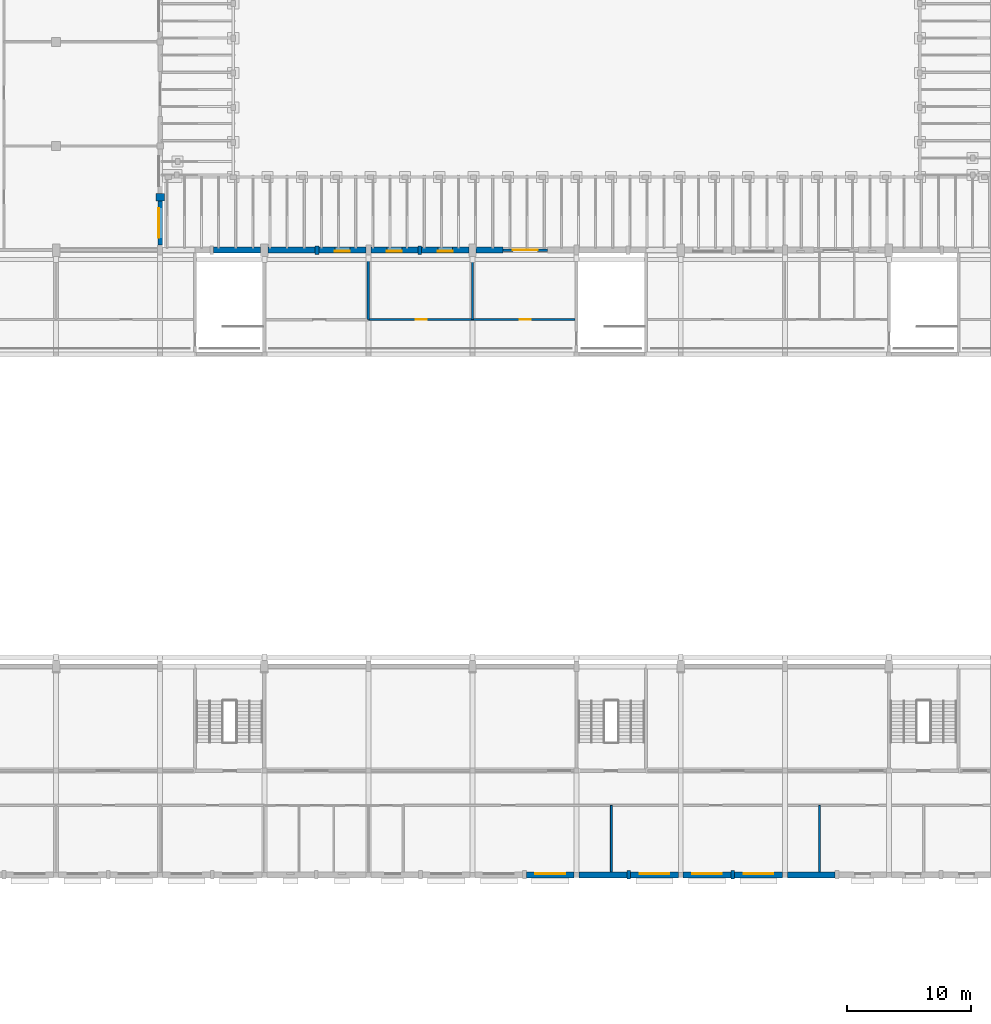
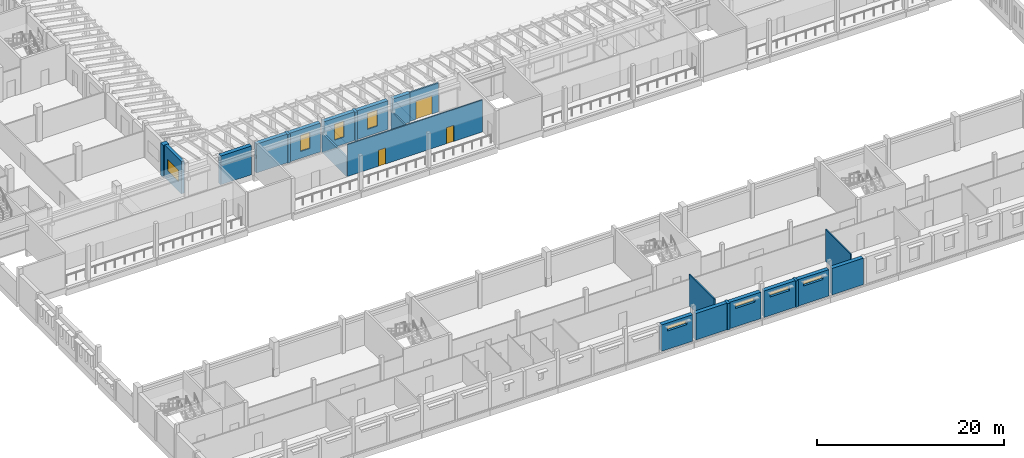
# One storey, part 35 of 60: 24 walls, 8 windows, 3 doors, 11 openings.
"""IFC4 building model written with IfcOpenShell, lengths in metres."""

from ifc_helpers import new_model, si_unit, direction, frame, frame_2d, origin, place, context, subcontext, project, spatial, rectangle, extrude, material, layer, layer_set, type_object, element, fill, save


model = new_model("IFC4")

# Units and contexts
model_context = context("Model", 3, precision=1e-05, world=origin(), true_north=direction((0.0, 1.0)))
body_context = subcontext(model_context, "Body", "Model", "MODEL_VIEW")
ifc_project = project(units=[si_unit("LENGTHUNIT", "METRE"), si_unit("AREAUNIT", "SQUARE_METRE"), si_unit("VOLUMEUNIT", "CUBIC_METRE"), si_unit("PLANEANGLEUNIT", "RADIAN"), si_unit("MASSUNIT", "GRAM", prefix="KILO")], contexts=[model_context])

# Site, building, storey
site_placement = place(None, origin())
site = spatial("IfcSite", under=ifc_project, at=site_placement, CompositionType="ELEMENT")
building_placement = place(site_placement, origin())
building = spatial("IfcBuilding", under=site, at=building_placement, Name="Fescue Hill Polytechnic", CompositionType="ELEMENT")
storey_placement = place(building_placement, frame((0.0, 0.0, 4.5)))
storey = spatial("IfcBuildingStorey", under=building, at=storey_placement, Name="L01", CompositionType="ELEMENT", Elevation=4.5)

# Wall, openings, doors
ifc_material_1 = material(Name="Gypsum board partition")
ifc_layer_1 = layer(ifc_material_1, 0.14990234375)
ifc_layer_set_1 = layer_set([ifc_layer_1], Name="Gypsum board partition")
wall_type_1 = type_object("IfcWallType", Name="Corridor wall 150 EI 45", PredefinedType="PARTITIONING", material=ifc_layer_set_1)
wall_1_placement = place(storey_placement, frame((42.0, 44.800048828125, 0.0), z_axis=(0.0, 0.0, 1.0), x_axis=(1.0, 0.0, 0.0)))
wall_1 = element("IfcWall", 1, at=wall_1_placement, inside=storey, type_object=wall_type_1, Name="IW-L01-029", PredefinedType="PARTITIONING", context=body_context, shape_type="SweptSolid", body=[
    extrude(rectangle(XDim=16.64990234375, YDim=0.14990234375, at=frame_2d((8.324951171875, 0.0))), origin(), (0.0, 0.0, 1.0), 4.14990234375),
])
opening_1_placement = place(wall_1_placement, frame((3.800048828125, 0.0, 0.0)))
opening_1 = element("IfcOpeningElement", 2, at=opening_1_placement, cuts=wall_1, Name="Opening D1037", PredefinedType="OPENING", context=body_context, shape_type="SweptSolid", body=[
    extrude(rectangle(XDim=0.89990234375, YDim=2.10009765625, at=frame_2d((0.449951171875, 1.050048828125))), frame((0.0, 0.0849609375, 0.0), z_axis=(0.0, -1.0, 0.0), x_axis=(1.0, 0.0, 0.0)), (0.0, 0.0, 1.0), 0.169921875),
])
opening_2_placement = place(wall_1_placement, frame((12.199951171875, 0.0, 0.0)))
opening_2 = element("IfcOpeningElement", 3, at=opening_2_placement, cuts=wall_1, Name="Opening D1038", PredefinedType="OPENING", context=body_context, shape_type="SweptSolid", body=[
    extrude(rectangle(XDim=0.89990234375, YDim=2.10009765625, at=frame_2d((0.449951171875, 1.050048828125))), frame((0.0, 0.0849609375, 0.0), z_axis=(0.0, -1.0, 0.0), x_axis=(1.0, 0.0, 0.0)), (0.0, 0.0, 1.0), 0.169921875),
])
ifc_material_2 = material(Name="Timber", Category="wood")
door_type_1 = type_object("IfcDoorType", Name="Door single swing 900x2100 FD30S", OperationType="SINGLE_SWING_LEFT", PredefinedType="DOOR", material=ifc_material_2)
door_1_placement = place(opening_1_placement, origin())
door_1 = element("IfcDoor", 4, at=door_1_placement, inside=storey, type_object=door_type_1, Name="Door D1037", OperationType="SINGLE_SWING_LEFT", OverallHeight=2.10009765625, OverallWidth=0.89990234375, PredefinedType="DOOR", context=body_context, shape_type="SweptSolid", body=[
    extrude(rectangle(XDim=0.89990234375, YDim=2.10009765625, at=frame_2d((0.449951171875, 1.050048828125))), frame((0.0, 0.02490234375, 0.0), z_axis=(0.0, -1.0, 0.0), x_axis=(1.0, 0.0, 0.0)), (0.0, 0.0, 1.0), 0.050048828125),
])
fill(opening_1, door_1)
door_2_placement = place(opening_2_placement, origin())
door_2 = element("IfcDoor", 5, at=door_2_placement, inside=storey, type_object=door_type_1, Name="Door D1038", OperationType="SINGLE_SWING_RIGHT", OverallHeight=2.10009765625, OverallWidth=0.89990234375, PredefinedType="DOOR", context=body_context, shape_type="SweptSolid", body=[
    extrude(rectangle(XDim=0.89990234375, YDim=2.10009765625, at=frame_2d((0.449951171875, 1.050048828125))), frame((0.0, 0.02490234375, 0.0), z_axis=(0.0, -1.0, 0.0), x_axis=(1.0, 0.0, 0.0)), (0.0, 0.0, 1.0), 0.050048828125),
])
fill(opening_2, door_2)

# Wall, opening, door
ifc_material_3 = material(Name="Glass", Category="glass")
ifc_layer_2 = layer(ifc_material_3, 0.199951171875)
ifc_layer_set_2 = layer_set([ifc_layer_2], Name="Glass")
wall_type_2 = type_object("IfcWallType", Name="Entrance frame wall metal and glass 200", PredefinedType="SOLIDWALL", material=ifc_layer_set_2)
wall_2_placement = place(storey_placement, frame((56.449951171875, 50.39990234375, 0.0), z_axis=(0.0, 0.0, 1.0), x_axis=(-1.0, 0.0, 0.0)))
wall_2 = element("IfcWall", 6, at=wall_2_placement, inside=storey, type_object=wall_type_2, Name="EW-L01-V1-65", PredefinedType="SOLIDWALL", context=body_context, shape_type="SweptSolid", body=[
    extrude(rectangle(XDim=3.599853515625, YDim=0.199951171875, at=frame_2d((1.7998046875, 0.0))), origin(), (0.0, 0.0, 1.0), 3.75),
])
opening_3_placement = place(wall_2_placement, frame((0.800048828125, 0.0, 0.0)))
opening_3 = element("IfcOpeningElement", 7, at=opening_3_placement, cuts=wall_2, Name="Opening D1002", PredefinedType="OPENING", context=body_context, shape_type="SweptSolid", body=[
    extrude(rectangle(XDim=2.0, YDim=2.39990234375, at=frame_2d((1.0, 1.199951171875))), frame((0.0, 0.10986328125, 0.0), z_axis=(0.0, -1.0, 0.0), x_axis=(1.0, 0.0, 0.0)), (0.0, 0.0, 1.0), 0.219970703125),
])
ifc_material_4 = material(Name="Aluminium and glass", Category="aluminium")
door_type_2 = type_object("IfcDoorType", Name="Door entrance glazed double 2000x2400", OperationType="DOUBLE_DOOR_SINGLE_SWING", PredefinedType="DOOR", material=ifc_material_4)
door_3_placement = place(opening_3_placement, origin())
door_3 = element("IfcDoor", 8, at=door_3_placement, inside=storey, type_object=door_type_2, Name="Door D1002", OperationType="SINGLE_SWING_LEFT", OverallHeight=2.39990234375, OverallWidth=2.0, PredefinedType="DOOR", context=body_context, shape_type="SweptSolid", body=[
    extrude(rectangle(XDim=2.0, YDim=2.39990234375, at=frame_2d((1.0, 1.199951171875))), frame((0.0, 0.02490234375, 0.0), z_axis=(0.0, -1.0, 0.0), x_axis=(1.0, 0.0, 0.0)), (0.0, 0.0, 1.0), 0.050048828125),
])
fill(opening_3, door_3)

# Wall, opening, window
ifc_material_5 = material(Name="Clay brick masonry", Category="masonry")
ifc_layer_3 = layer(ifc_material_5, 0.47998046875)
ifc_layer_set_3 = layer_set([ifc_layer_3], Name="Clay brick masonry")
wall_type_3 = type_object("IfcWallType", Name="Exterior wall engineering brick cavity 480", PredefinedType="SOLIDWALL", material=ifc_layer_set_3)
wall_3_placement = place(storey_placement, frame((54.75, 0.0, 0.0), z_axis=(0.0, 0.0, 1.0), x_axis=(1.0, 0.0, 0.0)))
wall_3 = element("IfcWall", 9, at=wall_3_placement, inside=storey, type_object=wall_type_3, Name="EW-L01-V1-18", PredefinedType="SOLIDWALL", context=body_context, shape_type="SweptSolid", body=[
    extrude(rectangle(XDim=3.85009765625, YDim=0.47998046875, at=frame_2d((1.925048828125, 0.0))), origin(), (0.0, 0.0, 1.0), 3.449951171875),
])
opening_4_placement = place(wall_3_placement, frame((0.72509765625, 0.0, 2.39990234375)))
opening_4 = element("IfcOpeningElement", 10, at=opening_4_placement, cuts=wall_3, Name="Opening W2R", PredefinedType="OPENING", context=body_context, shape_type="SweptSolid", body=[
    extrude(rectangle(XDim=2.39990234375, YDim=0.60009765625, at=frame_2d((1.199951171875, 0.300048828125))), frame((0.0, 0.25, 0.0), z_axis=(0.0, -1.0, 0.0), x_axis=(1.0, 0.0, 0.0)), (0.0, 0.0, 1.0), 0.5),
])
ifc_material_6 = material(Name="Powder-coated aluminium and glass", Category="aluminium")
window_type_1 = type_object("IfcWindowType", Name="Window workshop high 2400x600", PartitioningType="TRIPLE_PANEL_VERTICAL", PredefinedType="WINDOW", material=ifc_material_6)
window_1_placement = place(opening_4_placement, origin())
window_1 = element("IfcWindow", 11, at=window_1_placement, inside=storey, type_object=window_type_1, Name="WN-L01-V1-15", OverallHeight=0.60009765625, OverallWidth=2.39990234375, PartitioningType="SINGLE_PANEL", PredefinedType="WINDOW", context=body_context, shape_type="SweptSolid", body=[
    extrude(rectangle(XDim=2.39990234375, YDim=0.60009765625, at=frame_2d((1.199951171875, 0.300048828125))), frame((0.0, 0.1201171875, 0.0), z_axis=(0.0, -1.0, 0.0), x_axis=(1.0, 0.0, 0.0)), (0.0, 0.0, 1.0), 0.06005859375),
])
fill(opening_4, window_1)

# Wall
wall_4_placement = place(storey_placement, frame((59.0, 0.0, 0.0), z_axis=(0.0, 0.0, 1.0), x_axis=(1.0, 0.0, 0.0)))
element("IfcWall", 12, at=wall_4_placement, inside=storey, type_object=wall_type_3, Name="EW-L01-V1-19", PredefinedType="SOLIDWALL", context=body_context, shape_type="SweptSolid", body=[
    extrude(rectangle(XDim=3.85009765625, YDim=0.47998046875, at=frame_2d((1.925048828125, 0.0))), origin(), (0.0, 0.0, 1.0), 3.449951171875),
])

# Wall, opening, window
wall_5_placement = place(storey_placement, frame((63.14990234375, 0.0, 0.0), z_axis=(0.0, 0.0, 1.0), x_axis=(1.0, 0.0, 0.0)))
wall_5 = element("IfcWall", 13, at=wall_5_placement, inside=storey, type_object=wall_type_3, Name="EW-L01-V1-20", PredefinedType="SOLIDWALL", context=body_context, shape_type="SweptSolid", body=[
    extrude(rectangle(XDim=3.85009765625, YDim=0.47998046875, at=frame_2d((1.925048828125, 0.0))), origin(), (0.0, 0.0, 1.0), 3.449951171875),
])
opening_5_placement = place(wall_5_placement, frame((0.72509765625, 0.0, 2.39990234375)))
opening_5 = element("IfcOpeningElement", 14, at=opening_5_placement, cuts=wall_5, Name="Opening W2R", PredefinedType="OPENING", context=body_context, shape_type="SweptSolid", body=[
    extrude(rectangle(XDim=2.39990234375, YDim=0.60009765625, at=frame_2d((1.199951171875, 0.300048828125))), frame((0.0, 0.25, 0.0), z_axis=(0.0, -1.0, 0.0), x_axis=(1.0, 0.0, 0.0)), (0.0, 0.0, 1.0), 0.5),
])
window_2_placement = place(opening_5_placement, origin())
window_2 = element("IfcWindow", 15, at=window_2_placement, inside=storey, type_object=window_type_1, Name="WN-L01-V1-16", OverallHeight=0.60009765625, OverallWidth=2.39990234375, PartitioningType="SINGLE_PANEL", PredefinedType="WINDOW", context=body_context, shape_type="SweptSolid", body=[
    extrude(rectangle(XDim=2.39990234375, YDim=0.60009765625, at=frame_2d((1.199951171875, 0.300048828125))), frame((0.0, 0.1201171875, 0.0), z_axis=(0.0, -1.0, 0.0), x_axis=(1.0, 0.0, 0.0)), (0.0, 0.0, 1.0), 0.06005859375),
])
fill(opening_5, window_2)

wall_6_placement = place(storey_placement, frame((67.39990234375, 0.0, 0.0), z_axis=(0.0, 0.0, 1.0), x_axis=(1.0, 0.0, 0.0)))
wall_6 = element("IfcWall", 16, at=wall_6_placement, inside=storey, type_object=wall_type_3, Name="EW-L01-V1-21", PredefinedType="SOLIDWALL", context=body_context, shape_type="SweptSolid", body=[
    extrude(rectangle(XDim=3.85009765625, YDim=0.47998046875, at=frame_2d((1.925048828125, 0.0))), origin(), (0.0, 0.0, 1.0), 3.449951171875),
])
opening_6_placement = place(wall_6_placement, frame((0.72509765625, 0.0, 2.39990234375)))
opening_6 = element("IfcOpeningElement", 17, at=opening_6_placement, cuts=wall_6, Name="Opening W2R", PredefinedType="OPENING", context=body_context, shape_type="SweptSolid", body=[
    extrude(rectangle(XDim=2.39990234375, YDim=0.60009765625, at=frame_2d((1.199951171875, 0.300048828125))), frame((0.0, 0.25, 0.0), z_axis=(0.0, -1.0, 0.0), x_axis=(1.0, 0.0, 0.0)), (0.0, 0.0, 1.0), 0.5),
])
window_3_placement = place(opening_6_placement, origin())
window_3 = element("IfcWindow", 18, at=window_3_placement, inside=storey, type_object=window_type_1, Name="WN-L01-V1-17", OverallHeight=0.60009765625, OverallWidth=2.39990234375, PartitioningType="SINGLE_PANEL", PredefinedType="WINDOW", context=body_context, shape_type="SweptSolid", body=[
    extrude(rectangle(XDim=2.39990234375, YDim=0.60009765625, at=frame_2d((1.199951171875, 0.300048828125))), frame((0.0, 0.1201171875, 0.0), z_axis=(0.0, -1.0, 0.0), x_axis=(1.0, 0.0, 0.0)), (0.0, 0.0, 1.0), 0.06005859375),
])
fill(opening_6, window_3)

wall_7_placement = place(storey_placement, frame((71.550048828125, 0.0, 0.0), z_axis=(0.0, 0.0, 1.0), x_axis=(1.0, 0.0, 0.0)))
wall_7 = element("IfcWall", 19, at=wall_7_placement, inside=storey, type_object=wall_type_3, Name="EW-L01-V1-22", PredefinedType="SOLIDWALL", context=body_context, shape_type="SweptSolid", body=[
    extrude(rectangle(XDim=3.849853515625, YDim=0.47998046875, at=frame_2d((1.9248046875, 0.0))), origin(), (0.0, 0.0, 1.0), 3.449951171875),
])
opening_7_placement = place(wall_7_placement, frame((0.72509765625, 0.0, 2.39990234375)))
opening_7 = element("IfcOpeningElement", 20, at=opening_7_placement, cuts=wall_7, Name="Opening W2R", PredefinedType="OPENING", context=body_context, shape_type="SweptSolid", body=[
    extrude(rectangle(XDim=2.39990234375, YDim=0.60009765625, at=frame_2d((1.199951171875, 0.300048828125))), frame((0.0, 0.25, 0.0), z_axis=(0.0, -1.0, 0.0), x_axis=(1.0, 0.0, 0.0)), (0.0, 0.0, 1.0), 0.5),
])
window_4_placement = place(opening_7_placement, origin())
window_4 = element("IfcWindow", 21, at=window_4_placement, inside=storey, type_object=window_type_1, Name="WN-L01-V1-18", OverallHeight=0.60009765625, OverallWidth=2.39990234375, PartitioningType="SINGLE_PANEL", PredefinedType="WINDOW", context=body_context, shape_type="SweptSolid", body=[
    extrude(rectangle(XDim=2.39990234375, YDim=0.60009765625, at=frame_2d((1.199951171875, 0.300048828125))), frame((0.0, 0.1201171875, 0.0), z_axis=(0.0, -1.0, 0.0), x_axis=(1.0, 0.0, 0.0)), (0.0, 0.0, 1.0), 0.06005859375),
])
fill(opening_7, window_4)

# Walls
wall_8_placement = place(storey_placement, frame((75.800048828125, 0.0, 0.0), z_axis=(0.0, 0.0, 1.0), x_axis=(1.0, 0.0, 0.0)))
element("IfcWall", 22, at=wall_8_placement, inside=storey, type_object=wall_type_3, Name="EW-L01-V1-23", PredefinedType="SOLIDWALL", context=body_context, shape_type="SweptSolid", body=[
    extrude(rectangle(XDim=3.849853515625, YDim=0.47998046875, at=frame_2d((1.9248046875, 0.0))), origin(), (0.0, 0.0, 1.0), 3.449951171875),
])
wall_9_placement = place(storey_placement, frame((52.85009765625, 50.39990234375, 0.0), z_axis=(0.0, 0.0, 1.0), x_axis=(-1.0, 0.0, 0.0)))
element("IfcWall", 23, at=wall_9_placement, inside=storey, type_object=wall_type_3, Name="EW-L01-V1-66", PredefinedType="SOLIDWALL", context=body_context, shape_type="SweptSolid", body=[
    extrude(rectangle(XDim=2.150146484375, YDim=0.47998046875, at=frame_2d((1.0751953125, 0.0))), origin(), (0.0, 0.0, 1.0), 3.75),
])

# Wall, opening, window
wall_10_placement = place(storey_placement, frame((50.10009765625, 50.39990234375, 0.0), z_axis=(0.0, 0.0, 1.0), x_axis=(-1.0, 0.0, 0.0)))
wall_10 = element("IfcWall", 24, at=wall_10_placement, inside=storey, type_object=wall_type_3, Name="EW-L01-V1-67", PredefinedType="SOLIDWALL", context=body_context, shape_type="SweptSolid", body=[
    extrude(rectangle(XDim=3.800048828125, YDim=0.47998046875, at=frame_2d((1.89990234375, 0.0))), origin(), (0.0, 0.0, 1.0), 3.75),
])
opening_8_placement = place(wall_10_placement, frame((1.300048828125, 0.0, 0.89990234375)))
opening_8 = element("IfcOpeningElement", 25, at=opening_8_placement, cuts=wall_10, Name="Opening W13", PredefinedType="OPENING", context=body_context, shape_type="SweptSolid", body=[
    extrude(rectangle(XDim=1.199951171875, YDim=2.10009765625, at=frame_2d((0.60009765625, 1.050048828125))), frame((0.0, 0.25, 0.0), z_axis=(0.0, -1.0, 0.0), x_axis=(1.0, 0.0, 0.0)), (0.0, 0.0, 1.0), 0.5),
])
window_type_2 = type_object("IfcWindowType", Name="Window cellular office 1200x2100", PartitioningType="SINGLE_PANEL", PredefinedType="WINDOW", material=ifc_material_6)
window_5_placement = place(opening_8_placement, origin())
window_5 = element("IfcWindow", 26, at=window_5_placement, inside=storey, type_object=window_type_2, Name="WN-L01-V1-33", OverallHeight=2.10009765625, OverallWidth=1.199951171875, PartitioningType="SINGLE_PANEL", PredefinedType="WINDOW", context=body_context, shape_type="SweptSolid", body=[
    extrude(rectangle(XDim=1.199951171875, YDim=2.10009765625, at=frame_2d((0.60009765625, 1.050048828125))), frame((0.0, 0.1201171875, 0.0), z_axis=(0.0, -1.0, 0.0), x_axis=(1.0, 0.0, 0.0)), (0.0, 0.0, 1.0), 0.06005859375),
])
fill(opening_8, window_5)

wall_11_placement = place(storey_placement, frame((46.0, 50.39990234375, 0.0), z_axis=(0.0, 0.0, 1.0), x_axis=(-1.0, 0.0, 0.0)))
wall_11 = element("IfcWall", 27, at=wall_11_placement, inside=storey, type_object=wall_type_3, Name="EW-L01-V1-68", PredefinedType="SOLIDWALL", context=body_context, shape_type="SweptSolid", body=[
    extrude(rectangle(XDim=3.800048828125, YDim=0.47998046875, at=frame_2d((1.89990234375, 0.0))), origin(), (0.0, 0.0, 1.0), 3.75),
])
opening_9_placement = place(wall_11_placement, frame((1.300048828125, 0.0, 0.89990234375)))
opening_9 = element("IfcOpeningElement", 28, at=opening_9_placement, cuts=wall_11, Name="Opening W13", PredefinedType="OPENING", context=body_context, shape_type="SweptSolid", body=[
    extrude(rectangle(XDim=1.199951171875, YDim=2.10009765625, at=frame_2d((0.60009765625, 1.050048828125))), frame((0.0, 0.25, 0.0), z_axis=(0.0, -1.0, 0.0), x_axis=(1.0, 0.0, 0.0)), (0.0, 0.0, 1.0), 0.5),
])
window_6_placement = place(opening_9_placement, origin())
window_6 = element("IfcWindow", 29, at=window_6_placement, inside=storey, type_object=window_type_2, Name="WN-L01-V1-34", OverallHeight=2.10009765625, OverallWidth=1.199951171875, PartitioningType="SINGLE_PANEL", PredefinedType="WINDOW", context=body_context, shape_type="SweptSolid", body=[
    extrude(rectangle(XDim=1.199951171875, YDim=2.10009765625, at=frame_2d((0.60009765625, 1.050048828125))), frame((0.0, 0.1201171875, 0.0), z_axis=(0.0, -1.0, 0.0), x_axis=(1.0, 0.0, 0.0)), (0.0, 0.0, 1.0), 0.06005859375),
])
fill(opening_9, window_6)

wall_12_placement = place(storey_placement, frame((41.800048828125, 50.39990234375, 0.0), z_axis=(0.0, 0.0, 1.0), x_axis=(-1.0, 0.0, 0.0)))
wall_12 = element("IfcWall", 30, at=wall_12_placement, inside=storey, type_object=wall_type_3, Name="EW-L01-V1-69", PredefinedType="SOLIDWALL", context=body_context, shape_type="SweptSolid", body=[
    extrude(rectangle(XDim=3.800048828125, YDim=0.47998046875, at=frame_2d((1.89990234375, 0.0))), origin(), (0.0, 0.0, 1.0), 3.75),
])
opening_10_placement = place(wall_12_placement, frame((1.300048828125, 0.0, 0.89990234375)))
opening_10 = element("IfcOpeningElement", 31, at=opening_10_placement, cuts=wall_12, Name="Opening W13", PredefinedType="OPENING", context=body_context, shape_type="SweptSolid", body=[
    extrude(rectangle(XDim=1.199951171875, YDim=2.10009765625, at=frame_2d((0.60009765625, 1.050048828125))), frame((0.0, 0.25, 0.0), z_axis=(0.0, -1.0, 0.0), x_axis=(1.0, 0.0, 0.0)), (0.0, 0.0, 1.0), 0.5),
])
window_7_placement = place(opening_10_placement, origin())
window_7 = element("IfcWindow", 32, at=window_7_placement, inside=storey, type_object=window_type_2, Name="WN-L01-V1-35", OverallHeight=2.10009765625, OverallWidth=1.199951171875, PartitioningType="SINGLE_PANEL", PredefinedType="WINDOW", context=body_context, shape_type="SweptSolid", body=[
    extrude(rectangle(XDim=1.199951171875, YDim=2.10009765625, at=frame_2d((0.60009765625, 1.050048828125))), frame((0.0, 0.1201171875, 0.0), z_axis=(0.0, -1.0, 0.0), x_axis=(1.0, 0.0, 0.0)), (0.0, 0.0, 1.0), 0.06005859375),
])
fill(opening_10, window_7)

# Walls
wall_13_placement = place(storey_placement, frame((37.699951171875, 50.39990234375, 0.0), z_axis=(0.0, 0.0, 1.0), x_axis=(-1.0, 0.0, 0.0)))
element("IfcWall", 33, at=wall_13_placement, inside=storey, type_object=wall_type_3, Name="EW-L01-V1-70", PredefinedType="SOLIDWALL", context=body_context, shape_type="SweptSolid", body=[
    extrude(rectangle(XDim=3.800048828125, YDim=0.47998046875, at=frame_2d((1.89990234375, 0.0))), origin(), (0.0, 0.0, 1.0), 3.75),
])
ifc_layer_4 = layer(ifc_material_5, 0.47998046875)
ifc_layer_set_4 = layer_set([ifc_layer_4], Name="Clay brick masonry")
wall_type_4 = type_object("IfcWallType", Name="Exterior wall engineering brick cavity 480 load-bearing", PredefinedType="SOLIDWALL", material=ifc_layer_set_4)
wall_14_placement = place(storey_placement, frame((33.300048828125, 50.39990234375, 0.0), z_axis=(0.0, 0.0, 1.0), x_axis=(-1.0, 0.0, 0.0)))
element("IfcWall", 34, at=wall_14_placement, inside=storey, type_object=wall_type_4, Name="EW-L01-V1-71", PredefinedType="SOLIDWALL", context=body_context, shape_type="SweptSolid", body=[
    extrude(rectangle(XDim=3.800048828125, YDim=0.47998046875, at=frame_2d((1.89990234375, 0.0))), origin(), (0.0, 0.0, 1.0), 3.75),
])

# Wall, opening, window
ifc_material_7 = material(Name="Terracotta rainscreen on concrete block", Category="masonry")
ifc_layer_5 = layer(ifc_material_7, 0.3798828125)
ifc_layer_set_5 = layer_set([ifc_layer_5], Name="Terracotta rainscreen on concrete block")
wall_type_5 = type_object("IfcWallType", Name="Exterior wall rainscreen terracotta on blockwork 380", PredefinedType="SOLIDWALL", material=ifc_layer_set_5)
wall_15_placement = place(storey_placement, frame((25.199951171875, 50.800048828125, 0.0), z_axis=(0.0, 0.0, 1.0), x_axis=(0.0, 1.0, 0.0)))
wall_15 = element("IfcWall", 35, at=wall_15_placement, inside=storey, type_object=wall_type_5, Name="EW-L01-V4-1", PredefinedType="SOLIDWALL", context=body_context, shape_type="SweptSolid", body=[
    extrude(rectangle(XDim=3.574951171875, YDim=0.3798828125, at=frame_2d((1.78759765625, 0.0))), origin(), (0.0, 0.0, 1.0), 4.199951171875),
])
opening_11_placement = place(wall_15_placement, frame((0.58740234375, 0.0, 1.199951171875)))
opening_11 = element("IfcOpeningElement", 36, at=opening_11_placement, cuts=wall_15, Name="Opening W3", PredefinedType="OPENING", context=body_context, shape_type="SweptSolid", body=[
    extrude(rectangle(XDim=2.39990234375, YDim=1.5, at=frame_2d((1.199951171875, 0.75))), frame((0.0, 0.199951171875, 0.0), z_axis=(0.0, -1.0, 0.0), x_axis=(1.0, 0.0, 0.0)), (0.0, 0.0, 1.0), 0.39990234375),
])
window_type_3 = type_object("IfcWindowType", Name="Window laboratory strip 2400x1500", PartitioningType="TRIPLE_PANEL_VERTICAL", PredefinedType="WINDOW", material=ifc_material_6)
window_8_placement = place(opening_11_placement, origin())
window_8 = element("IfcWindow", 37, at=window_8_placement, inside=storey, type_object=window_type_3, Name="WN-L01-V4-1", OverallHeight=1.5, OverallWidth=2.39990234375, PartitioningType="SINGLE_PANEL", PredefinedType="WINDOW", context=body_context, shape_type="SweptSolid", body=[
    extrude(rectangle(XDim=2.39990234375, YDim=1.5, at=frame_2d((1.199951171875, 0.75))), frame((0.0, 0.150146484375, 0.0), z_axis=(0.0, -1.0, 0.0), x_axis=(1.0, 0.0, 0.0)), (0.0, 0.0, 1.0), 0.06005859375),
])
fill(opening_11, window_8)

# Walls
ifc_material_8 = material(Name="Concrete 40 MPa", Category="concrete")
ifc_layer_6 = layer(ifc_material_8, 0.699951171875)
ifc_layer_set_6 = layer_set([ifc_layer_6], Name="Concrete 40 MPa")
wall_type_6 = type_object("IfcWallType", Name="Fin wall board-marked 300x700", PredefinedType="SOLIDWALL", material=ifc_layer_set_6)
wall_16_placement = place(storey_placement, frame((62.85009765625, 0.0, 0.0), z_axis=(0.0, 0.0, 1.0), x_axis=(1.0, 0.0, 0.0)))
element("IfcWall", 38, at=wall_16_placement, inside=storey, type_object=wall_type_6, Name="PR-L01-V1-10", PredefinedType="SOLIDWALL", context=body_context, shape_type="SweptSolid", body=[
    extrude(rectangle(XDim=0.2998046875, YDim=0.699951171875, at=frame_2d((0.14990234375, 0.0))), origin(), (0.0, 0.0, 1.0), 3.449951171875),
])
wall_17_placement = place(storey_placement, frame((71.25, 0.0, 0.0), z_axis=(0.0, 0.0, 1.0), x_axis=(1.0, 0.0, 0.0)))
element("IfcWall", 39, at=wall_17_placement, inside=storey, type_object=wall_type_6, Name="PR-L01-V1-11", PredefinedType="SOLIDWALL", context=body_context, shape_type="SweptSolid", body=[
    extrude(rectangle(XDim=0.300048828125, YDim=0.699951171875, at=frame_2d((0.14990234375, 0.0))), origin(), (0.0, 0.0, 1.0), 3.449951171875),
])
for number, where, z_axis, x_axis, name in (
    (40, (46.300048828125, 50.39990234375, 0.0), (0.0, 0.0, 1.0), (-1.0, 0.0, 0.0), "PR-L01-V1-24"),
    (41, (38.0, 50.39990234375, 0.0), (0.0, 0.0, 1.0), (-1.0, 0.0, 0.0), "PR-L01-V1-25"),
):
    element("IfcWall", number, at=place(storey_placement, frame(where, z_axis=z_axis, x_axis=x_axis)), inside=storey, type_object=wall_type_6, Name=name, PredefinedType="SOLIDWALL", context=body_context, shape_type="SweptSolid", body=[
        extrude(rectangle(XDim=0.300048828125, YDim=0.699951171875, at=frame_2d((0.14990234375, 0.0))), origin(), (0.0, 0.0, 1.0), 3.75),
    ])
ifc_layer_7 = layer(ifc_material_8, 0.699951171875)
ifc_layer_set_7 = layer_set([ifc_layer_7], Name="Concrete 40 MPa")
wall_type_7 = type_object("IfcWallType", Name="Fin wall board-marked 600x700", PredefinedType="SOLIDWALL", material=ifc_layer_set_7)
wall_18_placement = place(storey_placement, frame((25.199951171875, 54.375, 0.0), z_axis=(0.0, 0.0, 1.0), x_axis=(0.0, 1.0, 0.0)))
element("IfcWall", 42, at=wall_18_placement, inside=storey, type_object=wall_type_7, Name="PR-L01-V4-1", PredefinedType="SOLIDWALL", context=body_context, shape_type="SweptSolid", body=[
    extrude(rectangle(XDim=0.60009765625, YDim=0.699951171875, at=frame_2d((0.300048828125, 0.0))), origin(), (0.0, 0.0, 1.0), 4.199951171875),
])
ifc_material_9 = material(Name="Concrete masonry block 15 MPa", Category="masonry")
ifc_layer_8 = layer(ifc_material_9, 0.14990234375)
ifc_layer_set_8 = layer_set([ifc_layer_8], Name="Concrete masonry block 15 MPa")
wall_type_8 = type_object("IfcWallType", Name="Laboratory wall 150 block EI 60", PredefinedType="PARTITIONING", material=ifc_layer_set_8)
wall_19_placement = place(storey_placement, frame((61.60009765625, 0.239990234375, 0.0), z_axis=(0.0, 0.0, 1.0), x_axis=(0.0, 1.0, 0.0)))
element("IfcWall", 43, at=wall_19_placement, inside=storey, type_object=wall_type_8, Name="IW-L01-085", PredefinedType="PARTITIONING", context=body_context, shape_type="SweptSolid", body=[
    extrude(rectangle(XDim=5.360107421875, YDim=0.14990234375, at=frame_2d((2.68017578125, 0.0))), origin(), (0.0, 0.0, 1.0), 4.14990234375),
])
ifc_layer_9 = layer(ifc_material_1, 0.14990234375)
ifc_layer_set_9 = layer_set([ifc_layer_9], Name="Gypsum board partition")
wall_type_9 = type_object("IfcWallType", Name="Partition stud 150 acoustic", PredefinedType="PARTITIONING", material=ifc_layer_set_9)
wall_20_placement = place(storey_placement, frame((50.39990234375, 44.800048828125, 0.0), z_axis=(0.0, 0.0, 1.0), x_axis=(0.0, 1.0, 0.0)))
element("IfcWall", 44, at=wall_20_placement, inside=storey, type_object=wall_type_9, Name="IW-L01-084", PredefinedType="PARTITIONING", context=body_context, shape_type="SweptSolid", body=[
    extrude(rectangle(XDim=5.099853515625, YDim=0.14990234375, at=frame_2d((2.5498046875, 0.0))), origin(), (0.0, 0.0, 1.0), 2.489013671875),
])
wall_21_placement = place(storey_placement, frame((78.39990234375, 0.239990234375, 0.0), z_axis=(0.0, 0.0, 1.0), x_axis=(0.0, 1.0, 0.0)))
element("IfcWall", 45, at=wall_21_placement, inside=storey, type_object=wall_type_9, Name="IW-L01-087", PredefinedType="PARTITIONING", context=body_context, shape_type="SweptSolid", body=[
    extrude(rectangle(XDim=5.360107421875, YDim=0.14990234375, at=frame_2d((2.68017578125, 0.0))), origin(), (0.0, 0.0, 1.0), 4.14990234375),
])
ifc_layer_10 = layer(ifc_material_9, 0.199951171875)
ifc_layer_set_10 = layer_set([ifc_layer_10], Name="Concrete masonry block 15 MPa")
wall_type_10 = type_object("IfcWallType", Name="Workshop wall 200 block EI 60", PredefinedType="PARTITIONING", material=ifc_layer_set_10)
wall_22_placement = place(storey_placement, frame((42.0, 44.800048828125, 0.0), z_axis=(0.0, 0.0, 1.0), x_axis=(0.0, 1.0, 0.0)))
element("IfcWall", 46, at=wall_22_placement, inside=storey, type_object=wall_type_10, Name="IW-L01-082", PredefinedType="PARTITIONING", context=body_context, shape_type="SweptSolid", body=[
    extrude(rectangle(XDim=5.199951171875, YDim=0.199951171875, at=frame_2d((2.60009765625, 0.0))), origin(), (0.0, 0.0, 1.0), 2.489013671875),
])

save(model, "model.ifc")
